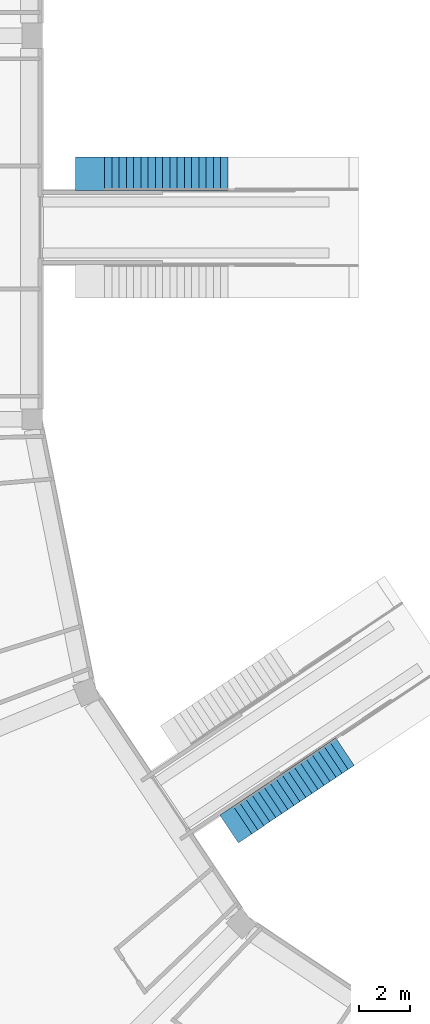
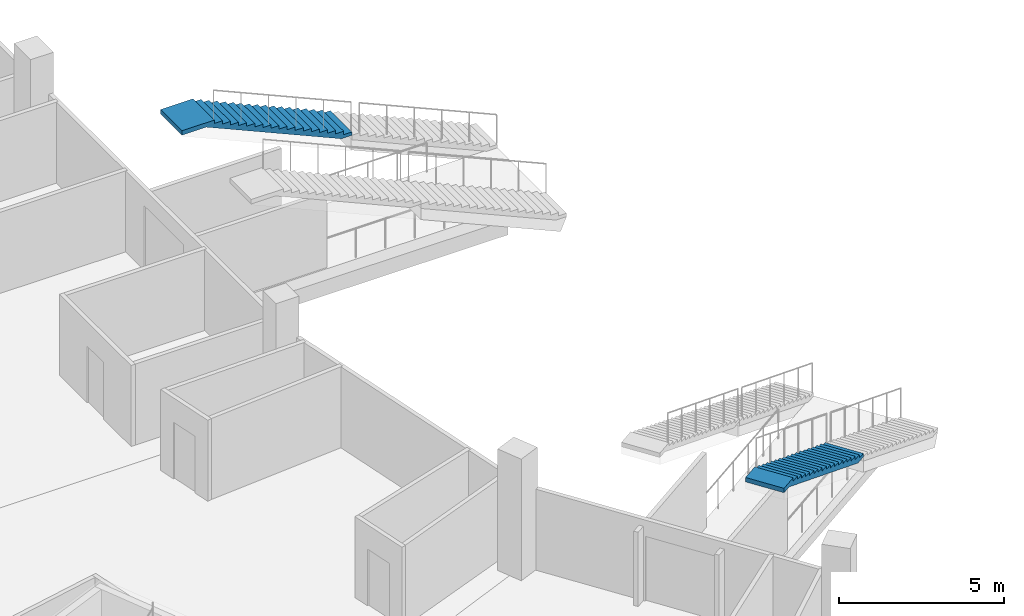
# One storey, part 57 of 175: 2 stair flights, 2 elements without a shape of their own.
"""IFC4 building model written with IfcOpenShell, lengths in metres."""

from ifc_helpers import new_model, si_unit, direction, frame, origin, place, context, subcontext, project, spatial, faceted_brep, material, type_object, element, aggregate, save


model = new_model("IFC4")

# Units and contexts
model_context = context("Model", 3, precision=1e-05, world=origin(), true_north=direction((0.0, 1.0)))
body_context = subcontext(model_context, "Body", "Model", "MODEL_VIEW")
ifc_project = project(units=[si_unit("LENGTHUNIT", "METRE"), si_unit("AREAUNIT", "SQUARE_METRE"), si_unit("VOLUMEUNIT", "CUBIC_METRE"), si_unit("PLANEANGLEUNIT", "RADIAN"), si_unit("MASSUNIT", "GRAM", prefix="KILO")], contexts=[model_context])

# Site, building, storey
site_placement = place(None, origin())
site = spatial("IfcSite", under=ifc_project, at=site_placement, CompositionType="ELEMENT")
building_placement = place(site_placement, origin())
building = spatial("IfcBuilding", under=site, at=building_placement, Name="Ogive Plaza Stadium", CompositionType="ELEMENT")
storey_placement = place(building_placement, origin())
storey = spatial("IfcBuildingStorey", under=building, at=storey_placement, Name="L00", CompositionType="ELEMENT", Elevation=0.0)

# Stair, stair flight
ifc_material_1 = material(Name="Concrete C40/50", Category="concrete")
stair_type = type_object("IfcStairType", Name="Aisle stair", PredefinedType="STRAIGHT_RUN_STAIR", material=ifc_material_1)
stair_1_placement = place(storey_placement, origin())
stair_1 = element("IfcStair", 1, at=stair_1_placement, inside=storey, type_object=stair_type, Name="Aisle stair SA19R", PredefinedType="STRAIGHT_RUN_STAIR")
ifc_material_2 = material(Name="Concrete C40/50", Category="concrete")
stair_flight_type = type_object("IfcStairFlightType", Name="Aisle stair flight", PredefinedType="STRAIGHT", material=ifc_material_2)
stair_flight_1_placement = place(storey_placement, frame((-49.670654296875, -65.496337890625, 2.25), z_axis=(0.0, 0.0, 1.0), x_axis=(-0.831469612303, -0.55557023302, 0.0)))
stair_flight_1 = element("IfcStairFlight", 2, at=stair_flight_1_placement, type_object=stair_flight_type, Name="SA19R flight 2", NumberOfRisers=18, NumberOfTreads=17, PredefinedType="STRAIGHT", RiserHeight=0.125, TreadLength=0.283333333, context=body_context, shape_type="Brep", body=[
    faceted_brep([(0.371337890625, -0.64990234375, 0.0), (5.10009765625, -0.64990234375, 2.086181640625), (5.446533203125, -0.64990234375, 2.086181640625), (5.446533203125, -0.64990234375, 2.25), (4.816650390625, -0.64990234375, 2.25), (4.816650390625, -0.64990234375, 2.125), (4.533447265625, -0.64990234375, 2.125), (4.533447265625, -0.64990234375, 2.0), (4.25, -0.64990234375, 2.0), (4.25, -0.64990234375, 1.875), (3.966552734375, -0.64990234375, 1.875), (3.966552734375, -0.64990234375, 1.75), (3.683349609375, -0.64990234375, 1.75), (3.683349609375, -0.64990234375, 1.625), (3.39990234375, -0.64990234375, 1.625), (3.39990234375, -0.64990234375, 1.5), (3.11669921875, -0.64990234375, 1.5), (3.11669921875, -0.64990234375, 1.375), (2.833251953125, -0.64990234375, 1.375), (2.833251953125, -0.64990234375, 1.25), (2.550048828125, -0.64990234375, 1.25), (2.550048828125, -0.64990234375, 1.125), (2.2666015625, -0.64990234375, 1.125), (2.2666015625, -0.64990234375, 1.0), (1.9833984375, -0.64990234375, 1.0), (1.9833984375, -0.64990234375, 0.875), (1.699951171875, -0.64990234375, 0.875), (1.699951171875, -0.64990234375, 0.75), (1.416748046875, -0.64990234375, 0.75), (1.416748046875, -0.64990234375, 0.625), (1.13330078125, -0.64990234375, 0.625), (1.13330078125, -0.64990234375, 0.5), (0.85009765625, -0.64990234375, 0.5), (0.85009765625, -0.64990234375, 0.375), (0.566650390625, -0.64990234375, 0.375), (0.566650390625, -0.64990234375, 0.25), (0.283447265625, -0.64990234375, 0.25), (0.283447265625, -0.64990234375, 0.125), (0.0, -0.64990234375, 0.125), (0.0, -0.64990234375, 0.0), (0.0, 0.64990234375, 0.0), (0.0, 0.64990234375, 0.125), (0.283447265625, 0.64990234375, 0.125), (0.283447265625, 0.64990234375, 0.25), (0.566650390625, 0.64990234375, 0.25), (0.566650390625, 0.64990234375, 0.375), (0.85009765625, 0.64990234375, 0.375), (0.85009765625, 0.64990234375, 0.5), (1.13330078125, 0.64990234375, 0.5), (1.13330078125, 0.64990234375, 0.625), (1.416748046875, 0.64990234375, 0.625), (1.416748046875, 0.64990234375, 0.75), (1.699951171875, 0.64990234375, 0.75), (1.699951171875, 0.64990234375, 0.875), (1.9833984375, 0.64990234375, 0.875), (1.9833984375, 0.64990234375, 1.0), (2.2666015625, 0.64990234375, 1.0), (2.2666015625, 0.64990234375, 1.125), (2.550048828125, 0.64990234375, 1.125), (2.550048828125, 0.64990234375, 1.25), (2.833251953125, 0.64990234375, 1.25), (2.833251953125, 0.64990234375, 1.375), (3.11669921875, 0.64990234375, 1.375), (3.11669921875, 0.64990234375, 1.5), (3.39990234375, 0.64990234375, 1.5), (3.39990234375, 0.64990234375, 1.625), (3.683349609375, 0.64990234375, 1.625), (3.683349609375, 0.64990234375, 1.75), (3.966552734375, 0.64990234375, 1.75), (3.966552734375, 0.64990234375, 1.875), (4.25, 0.64990234375, 1.875), (4.25, 0.64990234375, 2.0), (4.533447265625, 0.64990234375, 2.0), (4.533447265625, 0.64990234375, 2.125), (4.816650390625, 0.64990234375, 2.125), (4.816650390625, 0.64990234375, 2.25), (5.446533203125, 0.64990234375, 2.25), (5.446533203125, 0.64990234375, 2.086181640625), (5.10009765625, 0.64990234375, 2.086181640625), (0.371337890625, 0.64990234375, 0.0), (0.371337890625, -0.324951171875, 0.0), (5.10009765625, -0.324951171875, 2.086181640625), (0.371337890625, 0.0, 0.0), (5.10009765625, 0.0, 2.086181640625), (0.371337890625, 0.324951171875, 0.0), (5.10009765625, 0.324951171875, 2.086181640625), (5.446533203125, -0.324951171875, 2.086181640625), (5.446533203125, 0.0, 2.086181640625), (5.446533203125, 0.324951171875, 2.086181640625), (5.446533203125, -0.324951171875, 2.25), (5.446533203125, 0.0, 2.25), (5.446533203125, 0.324951171875, 2.25), (4.816650390625, -0.324951171875, 2.25), (4.816650390625, 0.0, 2.25), (4.816650390625, 0.324951171875, 2.25), (4.816650390625, -0.324951171875, 2.125), (4.816650390625, 0.0, 2.125), (4.816650390625, 0.324951171875, 2.125), (4.533447265625, -0.324951171875, 2.125), (4.533447265625, 0.0, 2.125), (4.533447265625, 0.324951171875, 2.125), (4.533447265625, -0.324951171875, 2.0), (4.533447265625, 0.0, 2.0), (4.533447265625, 0.324951171875, 2.0), (4.25, -0.324951171875, 2.0), (4.25, 0.0, 2.0), (4.25, 0.324951171875, 2.0), (4.25, -0.324951171875, 1.875), (4.25, 0.0, 1.875), (4.25, 0.324951171875, 1.875), (3.966552734375, -0.324951171875, 1.875), (3.966552734375, 0.0, 1.875), (3.966552734375, 0.324951171875, 1.875), (3.966552734375, -0.324951171875, 1.75), (3.966552734375, 0.0, 1.75), (3.966552734375, 0.324951171875, 1.75), (3.683349609375, -0.324951171875, 1.75), (3.683349609375, 0.0, 1.75), (3.683349609375, 0.324951171875, 1.75), (3.683349609375, -0.324951171875, 1.625), (3.683349609375, 0.0, 1.625), (3.683349609375, 0.324951171875, 1.625), (3.39990234375, -0.324951171875, 1.625), (3.39990234375, 0.0, 1.625), (3.39990234375, 0.324951171875, 1.625), (3.39990234375, -0.324951171875, 1.5), (3.39990234375, 0.0, 1.5), (3.39990234375, 0.324951171875, 1.5), (3.11669921875, -0.324951171875, 1.5), (3.11669921875, 0.0, 1.5), (3.11669921875, 0.324951171875, 1.5), (3.11669921875, -0.324951171875, 1.375), (3.11669921875, 0.0, 1.375), (3.11669921875, 0.324951171875, 1.375), (2.833251953125, -0.324951171875, 1.375), (2.833251953125, 0.0, 1.375), (2.833251953125, 0.324951171875, 1.375), (2.833251953125, -0.324951171875, 1.25), (2.833251953125, 0.0, 1.25), (2.833251953125, 0.324951171875, 1.25), (2.550048828125, -0.324951171875, 1.25), (2.550048828125, 0.0, 1.25), (2.550048828125, 0.324951171875, 1.25), (2.550048828125, -0.324951171875, 1.125), (2.550048828125, 0.0, 1.125), (2.550048828125, 0.324951171875, 1.125), (2.2666015625, -0.324951171875, 1.125), (2.2666015625, 0.0, 1.125), (2.2666015625, 0.324951171875, 1.125), (2.2666015625, -0.324951171875, 1.0), (2.2666015625, 0.0, 1.0), (2.2666015625, 0.324951171875, 1.0), (1.9833984375, -0.324951171875, 1.0), (1.9833984375, 0.0, 1.0), (1.9833984375, 0.324951171875, 1.0), (1.9833984375, -0.324951171875, 0.875), (1.9833984375, 0.0, 0.875), (1.9833984375, 0.324951171875, 0.875), (1.699951171875, -0.324951171875, 0.875), (1.699951171875, 0.0, 0.875), (1.699951171875, 0.324951171875, 0.875), (1.699951171875, -0.324951171875, 0.75), (1.699951171875, 0.0, 0.75), (1.699951171875, 0.324951171875, 0.75), (1.416748046875, -0.324951171875, 0.75), (1.416748046875, 0.0, 0.75), (1.416748046875, 0.324951171875, 0.75), (1.416748046875, -0.324951171875, 0.625), (1.416748046875, 0.0, 0.625), (1.416748046875, 0.324951171875, 0.625), (1.13330078125, -0.324951171875, 0.625), (1.13330078125, 0.0, 0.625), (1.13330078125, 0.324951171875, 0.625), (1.13330078125, -0.324951171875, 0.5), (1.13330078125, 0.0, 0.5), (1.13330078125, 0.324951171875, 0.5), (0.85009765625, -0.324951171875, 0.5), (0.85009765625, 0.0, 0.5), (0.85009765625, 0.324951171875, 0.5), (0.85009765625, -0.324951171875, 0.375), (0.85009765625, 0.0, 0.375), (0.85009765625, 0.324951171875, 0.375), (0.566650390625, -0.324951171875, 0.375), (0.566650390625, 0.0, 0.375), (0.566650390625, 0.324951171875, 0.375), (0.566650390625, -0.324951171875, 0.25), (0.566650390625, 0.0, 0.25), (0.566650390625, 0.324951171875, 0.25), (0.283447265625, -0.324951171875, 0.25), (0.283447265625, 0.0, 0.25), (0.283447265625, 0.324951171875, 0.25), (0.283447265625, -0.324951171875, 0.125), (0.283447265625, 0.0, 0.125), (0.283447265625, 0.324951171875, 0.125), (0.0, -0.324951171875, 0.125), (0.0, 0.0, 0.125), (0.0, 0.324951171875, 0.125), (0.0, -0.324951171875, 0.0), (0.0, 0.0, 0.0), (0.0, 0.324951171875, 0.0)], [[[0, 1, 2, 3, 4, 5, 6, 7, 8, 9, 10, 11, 12, 13, 14, 15, 16, 17, 18, 19, 20, 21, 22, 23, 24, 25, 26, 27, 28, 29, 30, 31, 32, 33, 34, 35, 36, 37, 38, 39]], [[40, 41, 42, 43, 44, 45, 46, 47, 48, 49, 50, 51, 52, 53, 54, 55, 56, 57, 58, 59, 60, 61, 62, 63, 64, 65, 66, 67, 68, 69, 70, 71, 72, 73, 74, 75, 76, 77, 78, 79]], [[0, 80, 81, 1]], [[80, 82, 83, 81]], [[82, 84, 85, 83]], [[84, 79, 78, 85]], [[1, 81, 86, 2]], [[81, 83, 87, 86]], [[83, 85, 88, 87]], [[85, 78, 77, 88]], [[2, 86, 89, 3]], [[86, 87, 90, 89]], [[87, 88, 91, 90]], [[88, 77, 76, 91]], [[3, 89, 92, 4]], [[89, 90, 93, 92]], [[90, 91, 94, 93]], [[91, 76, 75, 94]], [[4, 92, 95, 5]], [[92, 93, 96, 95]], [[93, 94, 97, 96]], [[94, 75, 74, 97]], [[5, 95, 98, 6]], [[95, 96, 99, 98]], [[96, 97, 100, 99]], [[97, 74, 73, 100]], [[6, 98, 101, 7]], [[98, 99, 102, 101]], [[99, 100, 103, 102]], [[100, 73, 72, 103]], [[7, 101, 104, 8]], [[101, 102, 105, 104]], [[102, 103, 106, 105]], [[103, 72, 71, 106]], [[8, 104, 107, 9]], [[104, 105, 108, 107]], [[105, 106, 109, 108]], [[106, 71, 70, 109]], [[9, 107, 110, 10]], [[107, 108, 111, 110]], [[108, 109, 112, 111]], [[109, 70, 69, 112]], [[10, 110, 113, 11]], [[110, 111, 114, 113]], [[111, 112, 115, 114]], [[112, 69, 68, 115]], [[11, 113, 116, 12]], [[113, 114, 117, 116]], [[114, 115, 118, 117]], [[115, 68, 67, 118]], [[12, 116, 119, 13]], [[116, 117, 120, 119]], [[117, 118, 121, 120]], [[118, 67, 66, 121]], [[13, 119, 122, 14]], [[119, 120, 123, 122]], [[120, 121, 124, 123]], [[121, 66, 65, 124]], [[14, 122, 125, 15]], [[122, 123, 126, 125]], [[123, 124, 127, 126]], [[124, 65, 64, 127]], [[15, 125, 128, 16]], [[125, 126, 129, 128]], [[126, 127, 130, 129]], [[127, 64, 63, 130]], [[16, 128, 131, 17]], [[128, 129, 132, 131]], [[129, 130, 133, 132]], [[130, 63, 62, 133]], [[17, 131, 134, 18]], [[131, 132, 135, 134]], [[132, 133, 136, 135]], [[133, 62, 61, 136]], [[18, 134, 137, 19]], [[134, 135, 138, 137]], [[135, 136, 139, 138]], [[136, 61, 60, 139]], [[19, 137, 140, 20]], [[137, 138, 141, 140]], [[138, 139, 142, 141]], [[139, 60, 59, 142]], [[20, 140, 143, 21]], [[140, 141, 144, 143]], [[141, 142, 145, 144]], [[142, 59, 58, 145]], [[21, 143, 146, 22]], [[143, 144, 147, 146]], [[144, 145, 148, 147]], [[145, 58, 57, 148]], [[22, 146, 149, 23]], [[146, 147, 150, 149]], [[147, 148, 151, 150]], [[148, 57, 56, 151]], [[23, 149, 152, 24]], [[149, 150, 153, 152]], [[150, 151, 154, 153]], [[151, 56, 55, 154]], [[24, 152, 155, 25]], [[152, 153, 156, 155]], [[153, 154, 157, 156]], [[154, 55, 54, 157]], [[25, 155, 158, 26]], [[155, 156, 159, 158]], [[156, 157, 160, 159]], [[157, 54, 53, 160]], [[26, 158, 161, 27]], [[158, 159, 162, 161]], [[159, 160, 163, 162]], [[160, 53, 52, 163]], [[27, 161, 164, 28]], [[161, 162, 165, 164]], [[162, 163, 166, 165]], [[163, 52, 51, 166]], [[28, 164, 167, 29]], [[164, 165, 168, 167]], [[165, 166, 169, 168]], [[166, 51, 50, 169]], [[29, 167, 170, 30]], [[167, 168, 171, 170]], [[168, 169, 172, 171]], [[169, 50, 49, 172]], [[30, 170, 173, 31]], [[170, 171, 174, 173]], [[171, 172, 175, 174]], [[172, 49, 48, 175]], [[31, 173, 176, 32]], [[173, 174, 177, 176]], [[174, 175, 178, 177]], [[175, 48, 47, 178]], [[32, 176, 179, 33]], [[176, 177, 180, 179]], [[177, 178, 181, 180]], [[178, 47, 46, 181]], [[33, 179, 182, 34]], [[179, 180, 183, 182]], [[180, 181, 184, 183]], [[181, 46, 45, 184]], [[34, 182, 185, 35]], [[182, 183, 186, 185]], [[183, 184, 187, 186]], [[184, 45, 44, 187]], [[35, 185, 188, 36]], [[185, 186, 189, 188]], [[186, 187, 190, 189]], [[187, 44, 43, 190]], [[36, 188, 191, 37]], [[188, 189, 192, 191]], [[189, 190, 193, 192]], [[190, 43, 42, 193]], [[37, 191, 194, 38]], [[191, 192, 195, 194]], [[192, 193, 196, 195]], [[193, 42, 41, 196]], [[38, 194, 197, 39]], [[194, 195, 198, 197]], [[195, 196, 199, 198]], [[196, 41, 40, 199]], [[39, 197, 80, 0]], [[197, 198, 82, 80]], [[198, 199, 84, 82]], [[199, 40, 79, 84]]]),
])
aggregate(stair_1, [stair_flight_1])

stair_2_placement = place(storey_placement, origin())
stair_2 = element("IfcStair", 3, at=stair_2_placement, inside=storey, type_object=stair_type, Name="Aisle stair SA21L", PredefinedType="STRAIGHT_RUN_STAIR")
stair_flight_2_placement = place(storey_placement, frame((-54.25, -42.89990234375, 2.25), z_axis=(0.0, 0.0, 1.0), x_axis=(-1.0, 0.0, 0.0)))
stair_flight_2 = element("IfcStairFlight", 4, at=stair_flight_2_placement, type_object=stair_flight_type, Name="SA21L flight 2", NumberOfRisers=18, NumberOfTreads=17, PredefinedType="STRAIGHT", RiserHeight=0.125, TreadLength=0.283333333, context=body_context, shape_type="Brep", body=[
    faceted_brep([(0.371337890625, -0.64990234375, 0.0), (5.10009765625, -0.64990234375, 2.086181640625), (5.949951171875, -0.64990234375, 2.086181640625), (5.949951171875, -0.64990234375, 2.25), (4.816650390625, -0.64990234375, 2.25), (4.816650390625, -0.64990234375, 2.125), (4.533447265625, -0.64990234375, 2.125), (4.533447265625, -0.64990234375, 2.0), (4.25, -0.64990234375, 2.0), (4.25, -0.64990234375, 1.875), (3.966552734375, -0.64990234375, 1.875), (3.966552734375, -0.64990234375, 1.75), (3.683349609375, -0.64990234375, 1.75), (3.683349609375, -0.64990234375, 1.625), (3.39990234375, -0.64990234375, 1.625), (3.39990234375, -0.64990234375, 1.5), (3.11669921875, -0.64990234375, 1.5), (3.11669921875, -0.64990234375, 1.375), (2.833251953125, -0.64990234375, 1.375), (2.833251953125, -0.64990234375, 1.25), (2.550048828125, -0.64990234375, 1.25), (2.550048828125, -0.64990234375, 1.125), (2.2666015625, -0.64990234375, 1.125), (2.2666015625, -0.64990234375, 1.0), (1.9833984375, -0.64990234375, 1.0), (1.9833984375, -0.64990234375, 0.875), (1.699951171875, -0.64990234375, 0.875), (1.699951171875, -0.64990234375, 0.75), (1.416748046875, -0.64990234375, 0.75), (1.416748046875, -0.64990234375, 0.625), (1.13330078125, -0.64990234375, 0.625), (1.13330078125, -0.64990234375, 0.5), (0.85009765625, -0.64990234375, 0.5), (0.85009765625, -0.64990234375, 0.375), (0.566650390625, -0.64990234375, 0.375), (0.566650390625, -0.64990234375, 0.25), (0.283447265625, -0.64990234375, 0.25), (0.283447265625, -0.64990234375, 0.125), (0.0, -0.64990234375, 0.125), (0.0, -0.64990234375, 0.0), (0.0, 0.64990234375, 0.0), (0.0, 0.64990234375, 0.125), (0.283447265625, 0.64990234375, 0.125), (0.283447265625, 0.64990234375, 0.25), (0.566650390625, 0.64990234375, 0.25), (0.566650390625, 0.64990234375, 0.375), (0.85009765625, 0.64990234375, 0.375), (0.85009765625, 0.64990234375, 0.5), (1.13330078125, 0.64990234375, 0.5), (1.13330078125, 0.64990234375, 0.625), (1.416748046875, 0.64990234375, 0.625), (1.416748046875, 0.64990234375, 0.75), (1.699951171875, 0.64990234375, 0.75), (1.699951171875, 0.64990234375, 0.875), (1.9833984375, 0.64990234375, 0.875), (1.9833984375, 0.64990234375, 1.0), (2.2666015625, 0.64990234375, 1.0), (2.2666015625, 0.64990234375, 1.125), (2.550048828125, 0.64990234375, 1.125), (2.550048828125, 0.64990234375, 1.25), (2.833251953125, 0.64990234375, 1.25), (2.833251953125, 0.64990234375, 1.375), (3.11669921875, 0.64990234375, 1.375), (3.11669921875, 0.64990234375, 1.5), (3.39990234375, 0.64990234375, 1.5), (3.39990234375, 0.64990234375, 1.625), (3.683349609375, 0.64990234375, 1.625), (3.683349609375, 0.64990234375, 1.75), (3.966552734375, 0.64990234375, 1.75), (3.966552734375, 0.64990234375, 1.875), (4.25, 0.64990234375, 1.875), (4.25, 0.64990234375, 2.0), (4.533447265625, 0.64990234375, 2.0), (4.533447265625, 0.64990234375, 2.125), (4.816650390625, 0.64990234375, 2.125), (4.816650390625, 0.64990234375, 2.25), (5.949951171875, 0.64990234375, 2.25), (5.949951171875, 0.64990234375, 2.086181640625), (5.10009765625, 0.64990234375, 2.086181640625), (0.371337890625, 0.64990234375, 0.0), (0.371337890625, -0.324951171875, 0.0), (5.10009765625, -0.324951171875, 2.086181640625), (0.371337890625, 0.0, 0.0), (5.10009765625, 0.0, 2.086181640625), (0.371337890625, 0.324951171875, 0.0), (5.10009765625, 0.324951171875, 2.086181640625), (5.949951171875, -0.324951171875, 2.086181640625), (5.949951171875, 0.0, 2.086181640625), (5.949951171875, 0.324951171875, 2.086181640625), (5.949951171875, -0.324951171875, 2.25), (5.949951171875, 0.0, 2.25), (5.949951171875, 0.324951171875, 2.25), (4.816650390625, -0.324951171875, 2.25), (4.816650390625, 0.0, 2.25), (4.816650390625, 0.324951171875, 2.25), (4.816650390625, -0.324951171875, 2.125), (4.816650390625, 0.0, 2.125), (4.816650390625, 0.324951171875, 2.125), (4.533447265625, -0.324951171875, 2.125), (4.533447265625, 0.0, 2.125), (4.533447265625, 0.324951171875, 2.125), (4.533447265625, -0.324951171875, 2.0), (4.533447265625, 0.0, 2.0), (4.533447265625, 0.324951171875, 2.0), (4.25, -0.324951171875, 2.0), (4.25, 0.0, 2.0), (4.25, 0.324951171875, 2.0), (4.25, -0.324951171875, 1.875), (4.25, 0.0, 1.875), (4.25, 0.324951171875, 1.875), (3.966552734375, -0.324951171875, 1.875), (3.966552734375, 0.0, 1.875), (3.966552734375, 0.324951171875, 1.875), (3.966552734375, -0.324951171875, 1.75), (3.966552734375, 0.0, 1.75), (3.966552734375, 0.324951171875, 1.75), (3.683349609375, -0.324951171875, 1.75), (3.683349609375, 0.0, 1.75), (3.683349609375, 0.324951171875, 1.75), (3.683349609375, -0.324951171875, 1.625), (3.683349609375, 0.0, 1.625), (3.683349609375, 0.324951171875, 1.625), (3.39990234375, -0.324951171875, 1.625), (3.39990234375, 0.0, 1.625), (3.39990234375, 0.324951171875, 1.625), (3.39990234375, -0.324951171875, 1.5), (3.39990234375, 0.0, 1.5), (3.39990234375, 0.324951171875, 1.5), (3.11669921875, -0.324951171875, 1.5), (3.11669921875, 0.0, 1.5), (3.11669921875, 0.324951171875, 1.5), (3.11669921875, -0.324951171875, 1.375), (3.11669921875, 0.0, 1.375), (3.11669921875, 0.324951171875, 1.375), (2.833251953125, -0.324951171875, 1.375), (2.833251953125, 0.0, 1.375), (2.833251953125, 0.324951171875, 1.375), (2.833251953125, -0.324951171875, 1.25), (2.833251953125, 0.0, 1.25), (2.833251953125, 0.324951171875, 1.25), (2.550048828125, -0.324951171875, 1.25), (2.550048828125, 0.0, 1.25), (2.550048828125, 0.324951171875, 1.25), (2.550048828125, -0.324951171875, 1.125), (2.550048828125, 0.0, 1.125), (2.550048828125, 0.324951171875, 1.125), (2.2666015625, -0.324951171875, 1.125), (2.2666015625, 0.0, 1.125), (2.2666015625, 0.324951171875, 1.125), (2.2666015625, -0.324951171875, 1.0), (2.2666015625, 0.0, 1.0), (2.2666015625, 0.324951171875, 1.0), (1.9833984375, -0.324951171875, 1.0), (1.9833984375, 0.0, 1.0), (1.9833984375, 0.324951171875, 1.0), (1.9833984375, -0.324951171875, 0.875), (1.9833984375, 0.0, 0.875), (1.9833984375, 0.324951171875, 0.875), (1.699951171875, -0.324951171875, 0.875), (1.699951171875, 0.0, 0.875), (1.699951171875, 0.324951171875, 0.875), (1.699951171875, -0.324951171875, 0.75), (1.699951171875, 0.0, 0.75), (1.699951171875, 0.324951171875, 0.75), (1.416748046875, -0.324951171875, 0.75), (1.416748046875, 0.0, 0.75), (1.416748046875, 0.324951171875, 0.75), (1.416748046875, -0.324951171875, 0.625), (1.416748046875, 0.0, 0.625), (1.416748046875, 0.324951171875, 0.625), (1.13330078125, -0.324951171875, 0.625), (1.13330078125, 0.0, 0.625), (1.13330078125, 0.324951171875, 0.625), (1.13330078125, -0.324951171875, 0.5), (1.13330078125, 0.0, 0.5), (1.13330078125, 0.324951171875, 0.5), (0.85009765625, -0.324951171875, 0.5), (0.85009765625, 0.0, 0.5), (0.85009765625, 0.324951171875, 0.5), (0.85009765625, -0.324951171875, 0.375), (0.85009765625, 0.0, 0.375), (0.85009765625, 0.324951171875, 0.375), (0.566650390625, -0.324951171875, 0.375), (0.566650390625, 0.0, 0.375), (0.566650390625, 0.324951171875, 0.375), (0.566650390625, -0.324951171875, 0.25), (0.566650390625, 0.0, 0.25), (0.566650390625, 0.324951171875, 0.25), (0.283447265625, -0.324951171875, 0.25), (0.283447265625, 0.0, 0.25), (0.283447265625, 0.324951171875, 0.25), (0.283447265625, -0.324951171875, 0.125), (0.283447265625, 0.0, 0.125), (0.283447265625, 0.324951171875, 0.125), (0.0, -0.324951171875, 0.125), (0.0, 0.0, 0.125), (0.0, 0.324951171875, 0.125), (0.0, -0.324951171875, 0.0), (0.0, 0.0, 0.0), (0.0, 0.324951171875, 0.0)], [[[0, 1, 2, 3, 4, 5, 6, 7, 8, 9, 10, 11, 12, 13, 14, 15, 16, 17, 18, 19, 20, 21, 22, 23, 24, 25, 26, 27, 28, 29, 30, 31, 32, 33, 34, 35, 36, 37, 38, 39]], [[40, 41, 42, 43, 44, 45, 46, 47, 48, 49, 50, 51, 52, 53, 54, 55, 56, 57, 58, 59, 60, 61, 62, 63, 64, 65, 66, 67, 68, 69, 70, 71, 72, 73, 74, 75, 76, 77, 78, 79]], [[0, 80, 81, 1]], [[80, 82, 83, 81]], [[82, 84, 85, 83]], [[84, 79, 78, 85]], [[1, 81, 86, 2]], [[81, 83, 87, 86]], [[83, 85, 88, 87]], [[85, 78, 77, 88]], [[2, 86, 89, 3]], [[86, 87, 90, 89]], [[87, 88, 91, 90]], [[88, 77, 76, 91]], [[3, 89, 92, 4]], [[89, 90, 93, 92]], [[90, 91, 94, 93]], [[91, 76, 75, 94]], [[4, 92, 95, 5]], [[92, 93, 96, 95]], [[93, 94, 97, 96]], [[94, 75, 74, 97]], [[5, 95, 98, 6]], [[95, 96, 99, 98]], [[96, 97, 100, 99]], [[97, 74, 73, 100]], [[6, 98, 101, 7]], [[98, 99, 102, 101]], [[99, 100, 103, 102]], [[100, 73, 72, 103]], [[7, 101, 104, 8]], [[101, 102, 105, 104]], [[102, 103, 106, 105]], [[103, 72, 71, 106]], [[8, 104, 107, 9]], [[104, 105, 108, 107]], [[105, 106, 109, 108]], [[106, 71, 70, 109]], [[9, 107, 110, 10]], [[107, 108, 111, 110]], [[108, 109, 112, 111]], [[109, 70, 69, 112]], [[10, 110, 113, 11]], [[110, 111, 114, 113]], [[111, 112, 115, 114]], [[112, 69, 68, 115]], [[11, 113, 116, 12]], [[113, 114, 117, 116]], [[114, 115, 118, 117]], [[115, 68, 67, 118]], [[12, 116, 119, 13]], [[116, 117, 120, 119]], [[117, 118, 121, 120]], [[118, 67, 66, 121]], [[13, 119, 122, 14]], [[119, 120, 123, 122]], [[120, 121, 124, 123]], [[121, 66, 65, 124]], [[14, 122, 125, 15]], [[122, 123, 126, 125]], [[123, 124, 127, 126]], [[124, 65, 64, 127]], [[15, 125, 128, 16]], [[125, 126, 129, 128]], [[126, 127, 130, 129]], [[127, 64, 63, 130]], [[16, 128, 131, 17]], [[128, 129, 132, 131]], [[129, 130, 133, 132]], [[130, 63, 62, 133]], [[17, 131, 134, 18]], [[131, 132, 135, 134]], [[132, 133, 136, 135]], [[133, 62, 61, 136]], [[18, 134, 137, 19]], [[134, 135, 138, 137]], [[135, 136, 139, 138]], [[136, 61, 60, 139]], [[19, 137, 140, 20]], [[137, 138, 141, 140]], [[138, 139, 142, 141]], [[139, 60, 59, 142]], [[20, 140, 143, 21]], [[140, 141, 144, 143]], [[141, 142, 145, 144]], [[142, 59, 58, 145]], [[21, 143, 146, 22]], [[143, 144, 147, 146]], [[144, 145, 148, 147]], [[145, 58, 57, 148]], [[22, 146, 149, 23]], [[146, 147, 150, 149]], [[147, 148, 151, 150]], [[148, 57, 56, 151]], [[23, 149, 152, 24]], [[149, 150, 153, 152]], [[150, 151, 154, 153]], [[151, 56, 55, 154]], [[24, 152, 155, 25]], [[152, 153, 156, 155]], [[153, 154, 157, 156]], [[154, 55, 54, 157]], [[25, 155, 158, 26]], [[155, 156, 159, 158]], [[156, 157, 160, 159]], [[157, 54, 53, 160]], [[26, 158, 161, 27]], [[158, 159, 162, 161]], [[159, 160, 163, 162]], [[160, 53, 52, 163]], [[27, 161, 164, 28]], [[161, 162, 165, 164]], [[162, 163, 166, 165]], [[163, 52, 51, 166]], [[28, 164, 167, 29]], [[164, 165, 168, 167]], [[165, 166, 169, 168]], [[166, 51, 50, 169]], [[29, 167, 170, 30]], [[167, 168, 171, 170]], [[168, 169, 172, 171]], [[169, 50, 49, 172]], [[30, 170, 173, 31]], [[170, 171, 174, 173]], [[171, 172, 175, 174]], [[172, 49, 48, 175]], [[31, 173, 176, 32]], [[173, 174, 177, 176]], [[174, 175, 178, 177]], [[175, 48, 47, 178]], [[32, 176, 179, 33]], [[176, 177, 180, 179]], [[177, 178, 181, 180]], [[178, 47, 46, 181]], [[33, 179, 182, 34]], [[179, 180, 183, 182]], [[180, 181, 184, 183]], [[181, 46, 45, 184]], [[34, 182, 185, 35]], [[182, 183, 186, 185]], [[183, 184, 187, 186]], [[184, 45, 44, 187]], [[35, 185, 188, 36]], [[185, 186, 189, 188]], [[186, 187, 190, 189]], [[187, 44, 43, 190]], [[36, 188, 191, 37]], [[188, 189, 192, 191]], [[189, 190, 193, 192]], [[190, 43, 42, 193]], [[37, 191, 194, 38]], [[191, 192, 195, 194]], [[192, 193, 196, 195]], [[193, 42, 41, 196]], [[38, 194, 197, 39]], [[194, 195, 198, 197]], [[195, 196, 199, 198]], [[196, 41, 40, 199]], [[39, 197, 80, 0]], [[197, 198, 82, 80]], [[198, 199, 84, 82]], [[199, 40, 79, 84]]]),
])
aggregate(stair_2, [stair_flight_2])

save(model, "model.ifc")
